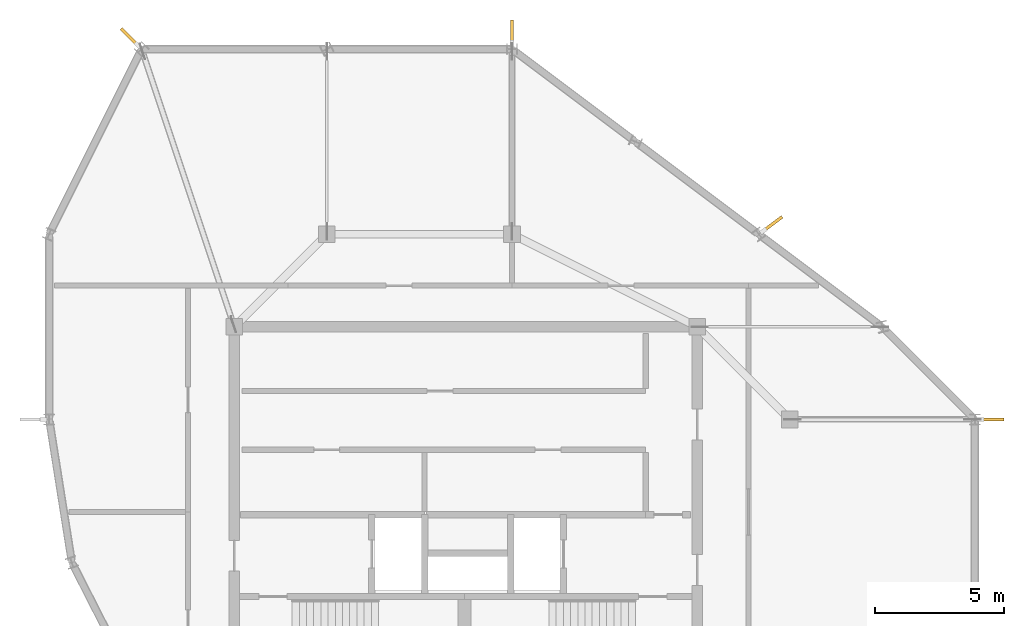
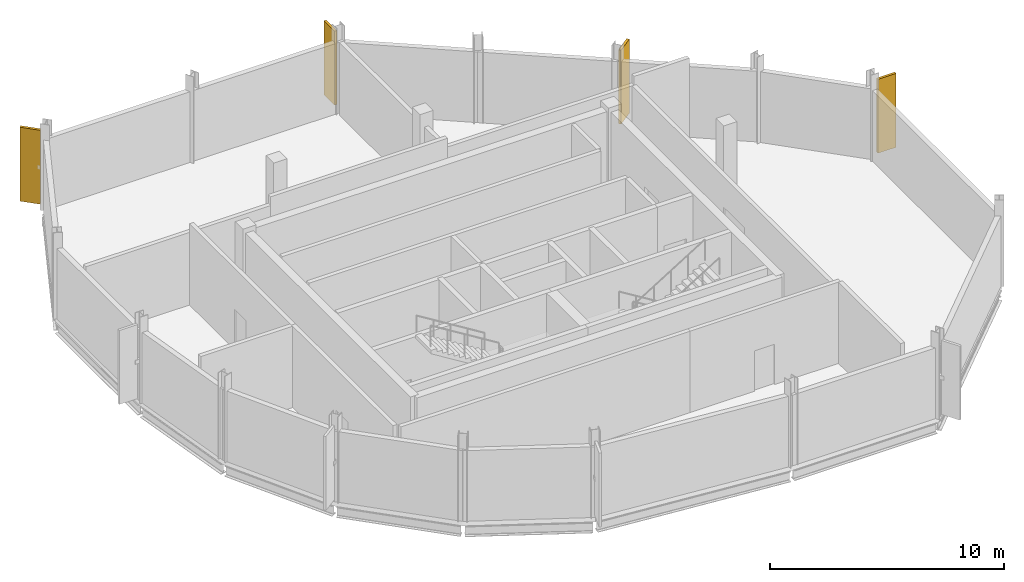
# One storey, part 5 of 5: 4 shading devices.
"""IFC4 building model written with IfcOpenShell, lengths in metres."""

from ifc_helpers import new_model, si_unit, direction, frame, origin, origin_2d, place, context, subcontext, project, spatial, rectangle, extrude, material, type_object, element, save


model = new_model("IFC4")

# Units and contexts
model_context = context("Model", 3, precision=1e-05, world=origin(), true_north=direction((0.0, 1.0)))
body_context = subcontext(model_context, "Body", "Model", "MODEL_VIEW")
ifc_project = project(units=[si_unit("LENGTHUNIT", "METRE"), si_unit("AREAUNIT", "SQUARE_METRE"), si_unit("VOLUMEUNIT", "CUBIC_METRE"), si_unit("PLANEANGLEUNIT", "RADIAN"), si_unit("MASSUNIT", "GRAM", prefix="KILO")], contexts=[model_context])

# Site, building, storey
site_placement = place(None, origin())
site = spatial("IfcSite", under=ifc_project, at=site_placement, CompositionType="ELEMENT")
building_placement = place(site_placement, origin())
building = spatial("IfcBuilding", under=site, at=building_placement, Name="Solnavia Interchange Tower", CompositionType="ELEMENT")
storey_placement = place(building_placement, frame((0.0, 0.0, 313.199951171875)))
storey = spatial("IfcBuildingStorey", under=building, at=storey_placement, Name="C03", CompositionType="ELEMENT", Elevation=313.199951171875)

# Shading devices
ifc_material = material(Name="Anodised Aluminium Fin", Category="aluminium")
shading_device_type = type_object("IfcShadingDeviceType", Name="CrownFin-Alu-900", PredefinedType="USERDEFINED", material=ifc_material)
for number, where, z_axis, x_axis, name in (
    (1, (43.8798828125, 21.60009765625, 0.199951171875), (0.0, 0.0, 1.0), (1.0, 0.0, 0.0), "FIN-C03-F01 Crown ring vertical aerofoil fin"),
    (2, (35.343994140625, 29.2080078125, 0.199951171875), (0.0, 0.0, 1.0), (0.799998928149, 0.600001429133, 0.0), "FIN-C03-F03 Crown ring vertical aerofoil fin"),
    (3, (25.199951171875, 36.679931640625, 0.199951171875), (0.0, 0.0, 1.0), (0.0, 1.0, 0.0), "FIN-C03-F05 Crown ring vertical aerofoil fin"),
    (4, (10.319091796875, 36.480712890625, 0.199951171875), (0.0, 0.0, 1.0), (-0.707106781187, 0.707106781187, 0.0), "FIN-C03-F07 Crown ring vertical aerofoil fin"),
):
    element("IfcShadingDevice", number, at=place(storey_placement, frame(where, z_axis=z_axis, x_axis=x_axis)), inside=storey, type_object=shading_device_type, Name=name, ObjectType="FIN", PredefinedType="USERDEFINED", context=body_context, shape_type="SweptSolid", body=[
        extrude(rectangle(XDim=0.89990234375, YDim=0.1201171875, at=origin_2d()), origin(), (0.0, 0.0, 1.0), 3.85009765625),
    ])

save(model, "model.ifc")
